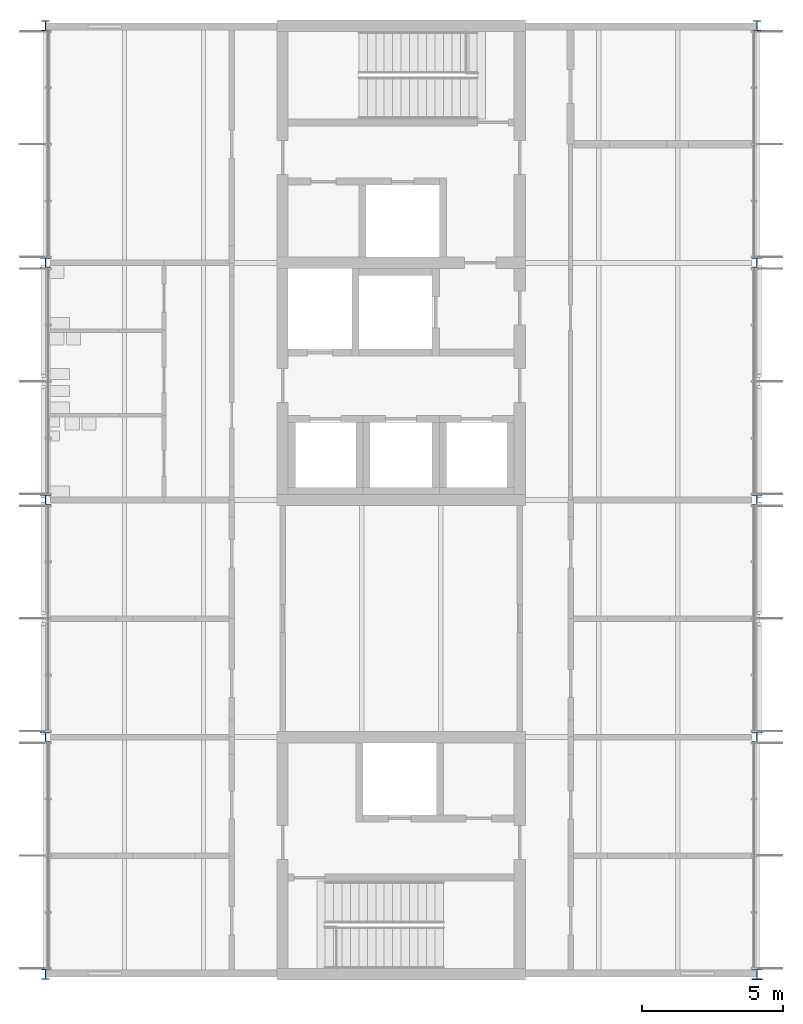
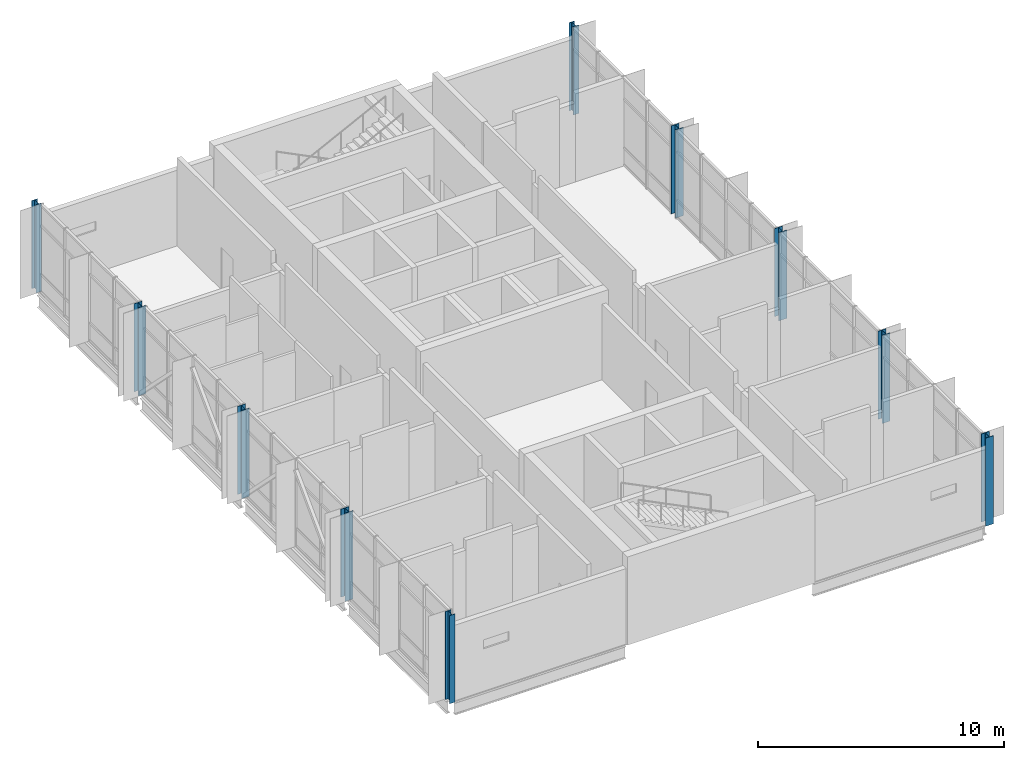
# One storey, part 1 of 15: 10 columns.
"""IFC4 building model written with IfcOpenShell, lengths in metres."""

from ifc_helpers import new_model, si_unit, direction, frame, origin, origin_2d, place, context, subcontext, project, spatial, i_section, extrude, material, material_profile, profile_set, type_object, element, save


model = new_model("IFC4")

# Units and contexts
model_context = context("Model", 3, precision=1e-05, world=origin(), true_north=direction((0.0, 1.0)))
body_context = subcontext(model_context, "Body", "Model", "MODEL_VIEW")
ifc_project = project(units=[si_unit("LENGTHUNIT", "METRE"), si_unit("AREAUNIT", "SQUARE_METRE"), si_unit("VOLUMEUNIT", "CUBIC_METRE"), si_unit("PLANEANGLEUNIT", "RADIAN"), si_unit("MASSUNIT", "GRAM", prefix="KILO")], contexts=[model_context])

# Site, building, storey
site_placement = place(None, origin())
site = spatial("IfcSite", under=ifc_project, at=site_placement, CompositionType="ELEMENT")
building_placement = place(site_placement, origin())
building = spatial("IfcBuilding", under=site, at=building_placement, Name="Hlaing Beacon Police Headquarters", CompositionType="ELEMENT")
storey_placement = place(building_placement, frame((0.0, 0.0, 32.39990234375)))
storey = spatial("IfcBuildingStorey", under=building, at=storey_placement, Name="L07", CompositionType="ELEMENT", Elevation=32.39990234375)

# Columns
ifc_material_1 = material(Name="Steel ASTM A992 Grade 50", Category="steel")
ifc_material_profile_1 = material_profile(ifc_material_1, i_section(OverallWidth=0.373291015625, OverallDepth=0.368408203125, WebThickness=0.014892578125, FlangeThickness=0.02392578125, FilletRadius=0.01513671875, at=origin_2d()), Name="W14x120")
ifc_profile_set_1 = profile_set([ifc_material_profile_1], Name="Steel ASTM A992 Grade 50")
column_type_1 = type_object("IfcColumnType", Name="Steel column W14x120", PredefinedType="COLUMN", material=ifc_profile_set_1)
column_placement = place(storey_placement, frame((126.0, 33.60009765625, 0.0), z_axis=(0.0, 0.0, 1.0), x_axis=(1.0, 0.0, 0.0)))
element("IfcColumn", 1, at=column_placement, inside=storey, type_object=column_type_1, Name="STR-COL-L07-R5", PredefinedType="COLUMN", context=body_context, shape_type="SweptSolid", body=[
    extrude(i_section(OverallWidth=0.373291015625, OverallDepth=0.368408203125, WebThickness=0.014892578125, FlangeThickness=0.02392578125, FilletRadius=0.01513671875, at=origin_2d()), origin(), (0.0, 0.0, 1.0), 4.3701171875),
])
ifc_material_2 = material(Name="Steel ASTM A992 Grade 50", Category="steel")
ifc_material_profile_2 = material_profile(ifc_material_2, i_section(OverallWidth=0.256591796875, OverallDepth=0.360595703125, WebThickness=0.011474609375, FlangeThickness=0.02001953125, FilletRadius=0.01513671875, at=origin_2d()), Name="W14x74")
ifc_profile_set_2 = profile_set([ifc_material_profile_2], Name="Steel ASTM A992 Grade 50")
column_type_2 = type_object("IfcColumnType", Name="Steel column W14x74", PredefinedType="COLUMN", material=ifc_profile_set_2)
for number, where, z_axis, x_axis, name in (
    (2, (100.800048828125, 33.60009765625, 0.0), (0.0, 0.0, 1.0), (1.0, 0.0, 0.0), "STR-COL-L07-N5"),
    (3, (100.800048828125, 67.199951171875, 0.0), (0.0, 0.0, 1.0), (1.0, 0.0, 0.0), "STR-COL-L07-N9"),
    (4, (126.0, 67.199951171875, 0.0), (0.0, 0.0, 1.0), (1.0, 0.0, 0.0), "STR-COL-L07-R9"),
):
    element("IfcColumn", number, at=place(storey_placement, frame(where, z_axis=z_axis, x_axis=x_axis)), inside=storey, type_object=column_type_2, Name=name, PredefinedType="COLUMN", context=body_context, shape_type="SweptSolid", body=[
        extrude(i_section(OverallWidth=0.256591796875, OverallDepth=0.360595703125, WebThickness=0.011474609375, FlangeThickness=0.02001953125, FilletRadius=0.01513671875, at=origin_2d()), origin(), (0.0, 0.0, 1.0), 4.3701171875),
    ])
ifc_material_3 = material(Name="Steel ASTM A992 Grade 50", Category="steel")
ifc_material_profile_3 = material_profile(ifc_material_3, i_section(OverallWidth=0.370849609375, OverallDepth=0.360595703125, WebThickness=0.01220703125, FlangeThickness=0.019775390625, FilletRadius=0.01513671875, at=origin_2d()), Name="W14x99")
ifc_profile_set_3 = profile_set([ifc_material_profile_3], Name="Steel ASTM A992 Grade 50")
column_type_3 = type_object("IfcColumnType", Name="Steel column W14x99", PredefinedType="COLUMN", material=ifc_profile_set_3)
for number, where, z_axis, x_axis, name in (
    (5, (100.800048828125, 42.0, 0.0), (0.0, 0.0, 1.0), (1.0, 0.0, 0.0), "STR-COL-L07-N6"),
    (6, (100.800048828125, 50.39990234375, 0.0), (0.0, 0.0, 1.0), (1.0, 0.0, 0.0), "STR-COL-L07-N7"),
    (7, (100.800048828125, 58.800048828125, 0.0), (0.0, 0.0, 1.0), (1.0, 0.0, 0.0), "STR-COL-L07-N8"),
    (8, (126.0, 42.0, 0.0), (0.0, 0.0, 1.0), (1.0, 0.0, 0.0), "STR-COL-L07-R6"),
    (9, (126.0, 50.39990234375, 0.0), (0.0, 0.0, 1.0), (1.0, 0.0, 0.0), "STR-COL-L07-R7"),
    (10, (126.0, 58.800048828125, 0.0), (0.0, 0.0, 1.0), (1.0, 0.0, 0.0), "STR-COL-L07-R8"),
):
    element("IfcColumn", number, at=place(storey_placement, frame(where, z_axis=z_axis, x_axis=x_axis)), inside=storey, type_object=column_type_3, Name=name, PredefinedType="COLUMN", context=body_context, shape_type="SweptSolid", body=[
        extrude(i_section(OverallWidth=0.370849609375, OverallDepth=0.360595703125, WebThickness=0.01220703125, FlangeThickness=0.019775390625, FilletRadius=0.01513671875, at=origin_2d()), origin(), (0.0, 0.0, 1.0), 4.3701171875),
    ])

save(model, "model.ifc")
